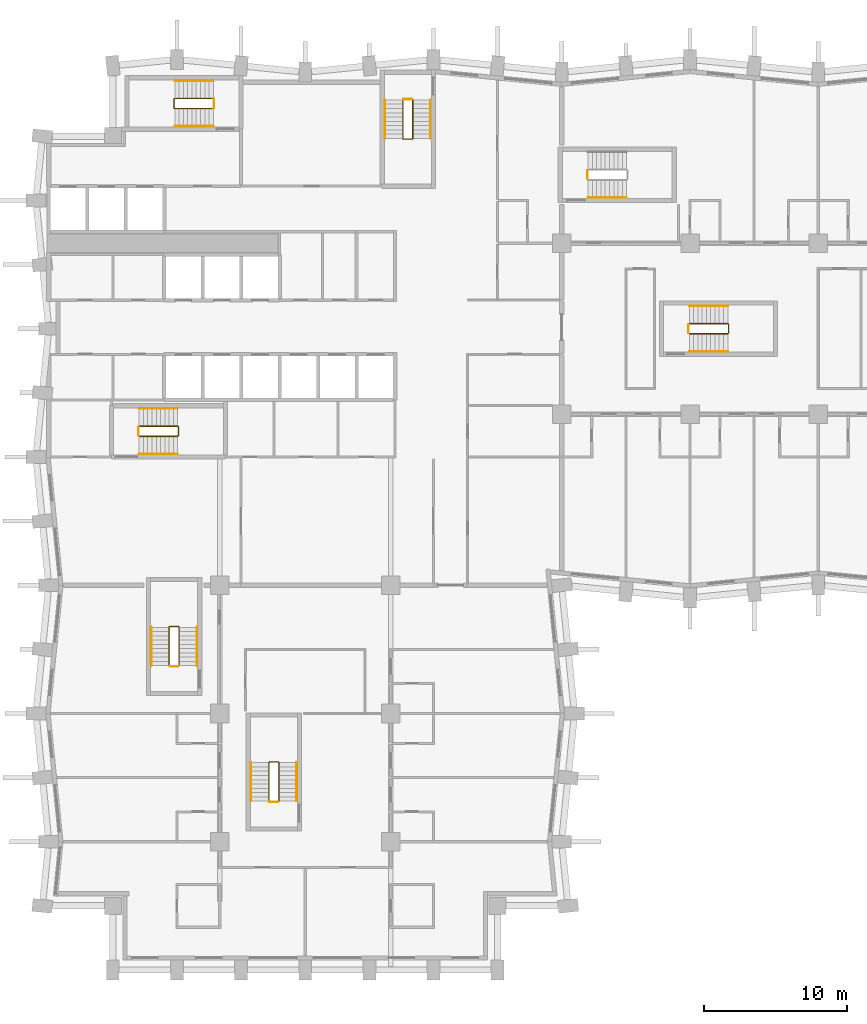
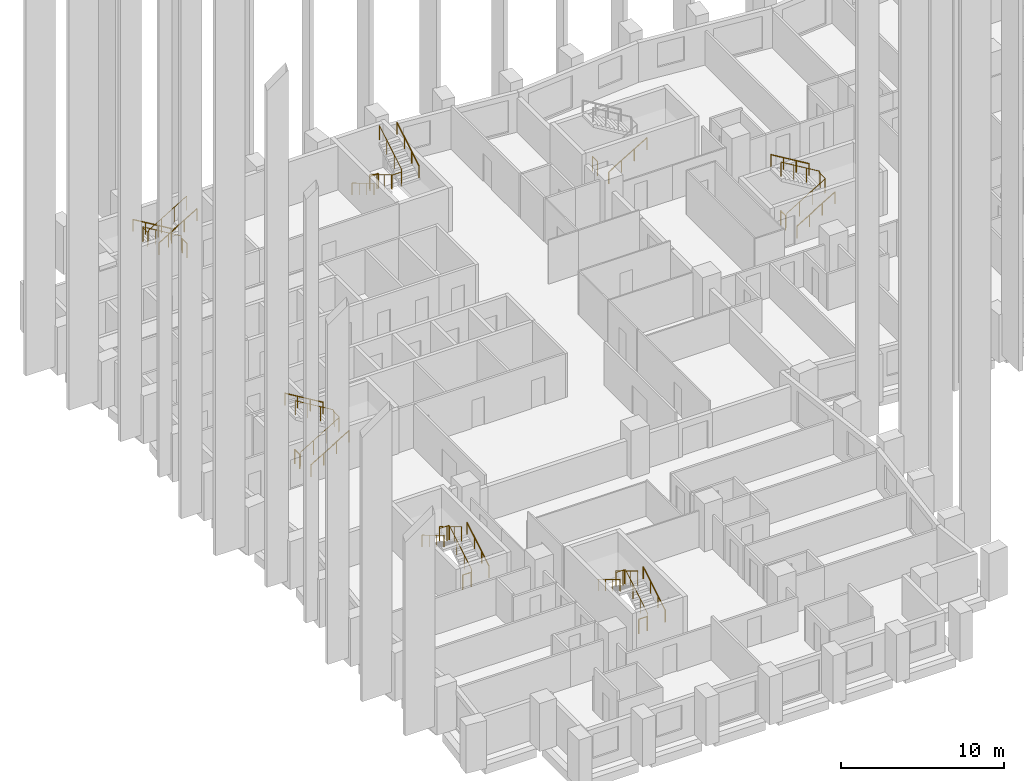
# One storey, part 12 of 13: 26 railings.
"""IFC4 building model written with IfcOpenShell, lengths in metres."""

from ifc_helpers import new_model, si_unit, direction, frame, origin, origin_2d, place, context, subcontext, project, spatial, circle, extrude, material, type_object, element, save


model = new_model("IFC4")

# Units and contexts
model_context = context("Model", 3, precision=1e-05, world=origin(), true_north=direction((0.0, 1.0)))
body_context = subcontext(model_context, "Body", "Model", "MODEL_VIEW")
ifc_project = project(units=[si_unit("LENGTHUNIT", "METRE"), si_unit("AREAUNIT", "SQUARE_METRE"), si_unit("VOLUMEUNIT", "CUBIC_METRE"), si_unit("PLANEANGLEUNIT", "RADIAN"), si_unit("MASSUNIT", "GRAM", prefix="KILO")], contexts=[model_context])

# Site, building, storey
site_placement = place(None, origin())
site = spatial("IfcSite", under=ifc_project, at=site_placement, CompositionType="ELEMENT")
building_placement = place(site_placement, origin())
building = spatial("IfcBuilding", under=site, at=building_placement, Name="Brondeck Convention Tower", CompositionType="ELEMENT")
storey_placement = place(building_placement, frame((0.0, 0.0, 37.5)))
storey = spatial("IfcBuildingStorey", under=building, at=storey_placement, Name="L06", CompositionType="ELEMENT", Elevation=37.5)

# Railings
ifc_material = material(Name="Steel S355", Category="steel")
railing_type_1 = type_object("IfcRailingType", Name="Stair guard 1100", PredefinedType="GUARDRAIL", material=ifc_material)
railing_1_placement = place(storey_placement, frame((6.35009765625, 37.449951171875, 0.179931640625)))
element("IfcRailing", 1, at=railing_1_placement, inside=storey, type_object=railing_type_1, Name="L06 ST-1 stair guard 1", PredefinedType="GUARDRAIL", context=body_context, shape_type="SweptSolid", body=[
    extrude(circle(Radius=0.02392578125, at=origin_2d()), frame((0.0, 0.0, 1.076171875), z_axis=(0.857472400752, 0.0, 0.514529962148), x_axis=(0.0, 1.0, 0.0)), (0.0, 0.0, 1.0), 3.148681640625),
    extrude(circle(Radius=0.02392578125, at=origin_2d()), frame((2.699951171875, 0.0, 2.6962890625), z_axis=(0.707106781187, 0.707106781187, 0.0), x_axis=(-0.707106781187, 0.707106781187, 0.0)), (0.0, 0.0, 1.0), 0.07080078125),
    extrude(circle(Radius=0.02392578125, at=origin_2d()), frame((2.75, 0.050048828125, 2.6962890625), z_axis=(0.0, 1.0, 0.0), x_axis=(-1.0, 0.0, 0.0)), (0.0, 0.0, 1.0), 0.60009765625),
    extrude(circle(Radius=0.02392578125, at=origin_2d()), frame((2.75, 0.650146484375, 2.6962890625), z_axis=(-0.258932105505, 0.257669022063, 0.930892496375), x_axis=(-0.705375805398, -0.708833529934, 0.0)), (0.0, 0.0, 1.0), 0.193359375),
    extrude(circle(Radius=0.02392578125, at=origin_2d()), frame((2.699951171875, 0.699951171875, 2.8759765625), z_axis=(-0.857472400752, 0.0, 0.514529962148), x_axis=(0.0, -1.0, 0.0)), (0.0, 0.0, 1.0), 3.148681640625),
    extrude(circle(Radius=0.02099609375, at=origin_2d()), origin(), (0.0, 0.0, 1.0), 1.052001953125),
    extrude(circle(Radius=0.02099609375, at=origin_2d()), frame((0.89990234375, 0.0, 0.5400390625)), (0.0, 0.0, 1.0), 1.052001953125),
    extrude(circle(Radius=0.02099609375, at=origin_2d()), frame((1.800048828125, 0.0, 1.080078125)), (0.0, 0.0, 1.0), 1.052001953125),
    extrude(circle(Radius=0.02099609375, at=origin_2d()), frame((2.699951171875, 0.0, 1.6201171875)), (0.0, 0.0, 1.0), 1.052001953125),
    extrude(circle(Radius=0.02099609375, at=origin_2d()), frame((2.75, 0.050048828125, 1.6201171875)), (0.0, 0.0, 1.0), 1.052001953125),
    extrude(circle(Radius=0.02099609375, at=origin_2d()), frame((2.75, 0.650146484375, 1.6201171875)), (0.0, 0.0, 1.0), 1.052001953125),
    extrude(circle(Radius=0.02099609375, at=origin_2d()), frame((2.699951171875, 0.699951171875, 1.800048828125)), (0.0, 0.0, 1.0), 1.052001953125),
    extrude(circle(Radius=0.02099609375, at=origin_2d()), frame((1.800048828125, 0.699951171875, 2.340087890625)), (0.0, 0.0, 1.0), 1.052001953125),
    extrude(circle(Radius=0.02099609375, at=origin_2d()), frame((0.89990234375, 0.699951171875, 2.880126953125)), (0.0, 0.0, 1.0), 1.052001953125),
    extrude(circle(Radius=0.02099609375, at=origin_2d()), frame((0.0, 0.699951171875, 3.420166015625)), (0.0, 0.0, 1.0), 1.052001953125),
])
railing_2_placement = place(storey_placement, frame((6.300048828125, 37.5, 0.0)))
element("IfcRailing", 2, at=railing_2_placement, inside=storey, type_object=railing_type_1, Name="L06 ST-1 stair guard 2", PredefinedType="GUARDRAIL", context=body_context, shape_type="SweptSolid", body=[
    extrude(circle(Radius=0.02392578125, at=origin_2d()), frame((0.0, 0.0, 1.076171875), z_axis=(0.0, 1.0, 0.0), x_axis=(-1.0, 0.0, 0.0)), (0.0, 0.0, 1.0), 0.60009765625),
    extrude(circle(Radius=0.02099609375, at=origin_2d()), origin(), (0.0, 0.0, 1.0), 1.052001953125),
    extrude(circle(Radius=0.02099609375, at=origin_2d()), frame((0.0, 0.60009765625, 0.0)), (0.0, 0.0, 1.0), 1.052001953125),
])
railing_3_placement = place(storey_placement, frame((24.85009765625, 61.050048828125, 0.179931640625)))
element("IfcRailing", 3, at=railing_3_placement, inside=storey, type_object=railing_type_1, Name="L06 ST-2 stair guard 1", PredefinedType="GUARDRAIL", context=body_context, shape_type="SweptSolid", body=[
    extrude(circle(Radius=0.02392578125, at=origin_2d()), frame((0.0, 0.0, 1.076171875), z_axis=(0.0, -0.857472400752, 0.514529962148), x_axis=(1.0, 0.0, 0.0)), (0.0, 0.0, 1.0), 3.148681640625),
    extrude(circle(Radius=0.02392578125, at=origin_2d()), frame((0.0, -2.699951171875, 2.6962890625), z_axis=(0.705375805398, -0.708833529934, 0.0), x_axis=(0.708833529934, 0.705375805398, 0.0)), (0.0, 0.0, 1.0), 0.070556640625),
    extrude(circle(Radius=0.02392578125, at=origin_2d()), frame((0.0498046875, -2.75, 2.6962890625), z_axis=(1.0, 0.0, 0.0), x_axis=(0.0, 1.0, 0.0)), (0.0, 0.0, 1.0), 0.60009765625),
    extrude(circle(Radius=0.02392578125, at=origin_2d()), frame((0.64990234375, -2.75, 2.6962890625), z_axis=(0.258847668887, 0.258847668887, 0.930588936439), x_axis=(-0.707106781187, 0.707106781187, 0.0)), (0.0, 0.0, 1.0), 0.193359375),
    extrude(circle(Radius=0.02392578125, at=origin_2d()), frame((0.699951171875, -2.699951171875, 2.8759765625), z_axis=(0.0, 0.857472400752, 0.514529962148), x_axis=(-1.0, 0.0, 0.0)), (0.0, 0.0, 1.0), 3.148681640625),
    extrude(circle(Radius=0.02099609375, at=origin_2d()), origin(), (0.0, 0.0, 1.0), 1.052001953125),
    extrude(circle(Radius=0.02099609375, at=origin_2d()), frame((0.0, -0.89990234375, 0.5400390625)), (0.0, 0.0, 1.0), 1.052001953125),
    extrude(circle(Radius=0.02099609375, at=origin_2d()), frame((0.0, -1.800048828125, 1.080078125)), (0.0, 0.0, 1.0), 1.052001953125),
    extrude(circle(Radius=0.02099609375, at=origin_2d()), frame((0.0, -2.699951171875, 1.6201171875)), (0.0, 0.0, 1.0), 1.052001953125),
    extrude(circle(Radius=0.02099609375, at=origin_2d()), frame((0.0498046875, -2.75, 1.6201171875)), (0.0, 0.0, 1.0), 1.052001953125),
    extrude(circle(Radius=0.02099609375, at=origin_2d()), frame((0.64990234375, -2.75, 1.6201171875)), (0.0, 0.0, 1.0), 1.052001953125),
    extrude(circle(Radius=0.02099609375, at=origin_2d()), frame((0.699951171875, -2.699951171875, 1.800048828125)), (0.0, 0.0, 1.0), 1.052001953125),
    extrude(circle(Radius=0.02099609375, at=origin_2d()), frame((0.699951171875, -1.800048828125, 2.340087890625)), (0.0, 0.0, 1.0), 1.052001953125),
    extrude(circle(Radius=0.02099609375, at=origin_2d()), frame((0.699951171875, -0.89990234375, 2.880126953125)), (0.0, 0.0, 1.0), 1.052001953125),
    extrude(circle(Radius=0.02099609375, at=origin_2d()), frame((0.699951171875, 0.0, 3.420166015625)), (0.0, 0.0, 1.0), 1.052001953125),
])
railing_4_placement = place(storey_placement, frame((24.89990234375, 61.10009765625, 0.0)))
element("IfcRailing", 4, at=railing_4_placement, inside=storey, type_object=railing_type_1, Name="L06 ST-2 stair guard 2", PredefinedType="GUARDRAIL", context=body_context, shape_type="SweptSolid", body=[
    extrude(circle(Radius=0.02392578125, at=origin_2d()), frame((0.0, 0.0, 1.076171875), z_axis=(1.0, 0.0, 0.0), x_axis=(0.0, 1.0, 0.0)), (0.0, 0.0, 1.0), 0.60009765625),
    extrude(circle(Radius=0.02099609375, at=origin_2d()), origin(), (0.0, 0.0, 1.0), 1.052001953125),
    extrude(circle(Radius=0.02099609375, at=origin_2d()), frame((0.60009765625, 0.0, 0.0)), (0.0, 0.0, 1.0), 1.052001953125),
])
railing_5_placement = place(storey_placement, frame((11.550048828125, 61.14990234375, 0.179931640625)))
element("IfcRailing", 5, at=railing_5_placement, inside=storey, type_object=railing_type_1, Name="L06 ST-3 stair guard 1", PredefinedType="GUARDRAIL", context=body_context, shape_type="SweptSolid", body=[
    extrude(circle(Radius=0.02392578125, at=origin_2d()), frame((0.0, 0.0, 1.076171875), z_axis=(-0.857472400752, 0.0, 0.514529962148), x_axis=(0.0, -1.0, 0.0)), (0.0, 0.0, 1.0), 3.148681640625),
    extrude(circle(Radius=0.02392578125, at=origin_2d()), frame((-2.699951171875, 0.0, 2.6962890625), z_axis=(-0.708833529934, -0.705375805398, 0.0), x_axis=(0.705375805398, -0.708833529934, 0.0)), (0.0, 0.0, 1.0), 0.070556640625),
    extrude(circle(Radius=0.02392578125, at=origin_2d()), frame((-2.75, -0.0498046875, 2.6962890625), z_axis=(0.0, -1.0, 0.0), x_axis=(1.0, 0.0, 0.0)), (0.0, 0.0, 1.0), 0.60009765625),
    extrude(circle(Radius=0.02392578125, at=origin_2d()), frame((-2.75, -0.64990234375, 2.6962890625), z_axis=(0.258847668887, -0.258847668887, 0.930588936439), x_axis=(0.707106781187, 0.707106781187, 0.0)), (0.0, 0.0, 1.0), 0.193359375),
    extrude(circle(Radius=0.02392578125, at=origin_2d()), frame((-2.699951171875, -0.699951171875, 2.8759765625), z_axis=(0.857472400752, 0.0, 0.514529962148), x_axis=(0.0, 1.0, 0.0)), (0.0, 0.0, 1.0), 3.148681640625),
    extrude(circle(Radius=0.02099609375, at=origin_2d()), origin(), (0.0, 0.0, 1.0), 1.052001953125),
    extrude(circle(Radius=0.02099609375, at=origin_2d()), frame((-0.89990234375, 0.0, 0.5400390625)), (0.0, 0.0, 1.0), 1.052001953125),
    extrude(circle(Radius=0.02099609375, at=origin_2d()), frame((-1.800048828125, 0.0, 1.080078125)), (0.0, 0.0, 1.0), 1.052001953125),
    extrude(circle(Radius=0.02099609375, at=origin_2d()), frame((-2.699951171875, 0.0, 1.6201171875)), (0.0, 0.0, 1.0), 1.052001953125),
    extrude(circle(Radius=0.02099609375, at=origin_2d()), frame((-2.75, -0.0498046875, 1.6201171875)), (0.0, 0.0, 1.0), 1.052001953125),
    extrude(circle(Radius=0.02099609375, at=origin_2d()), frame((-2.75, -0.64990234375, 1.6201171875)), (0.0, 0.0, 1.0), 1.052001953125),
    extrude(circle(Radius=0.02099609375, at=origin_2d()), frame((-2.699951171875, -0.699951171875, 1.800048828125)), (0.0, 0.0, 1.0), 1.052001953125),
    extrude(circle(Radius=0.02099609375, at=origin_2d()), frame((-1.800048828125, -0.699951171875, 2.340087890625)), (0.0, 0.0, 1.0), 1.052001953125),
    extrude(circle(Radius=0.02099609375, at=origin_2d()), frame((-0.89990234375, -0.699951171875, 2.880126953125)), (0.0, 0.0, 1.0), 1.052001953125),
    extrude(circle(Radius=0.02099609375, at=origin_2d()), frame((0.0, -0.699951171875, 3.420166015625)), (0.0, 0.0, 1.0), 1.052001953125),
])
railing_6_placement = place(storey_placement, frame((11.60009765625, 61.10009765625, 0.0)))
element("IfcRailing", 6, at=railing_6_placement, inside=storey, type_object=railing_type_1, Name="L06 ST-3 stair guard 2", PredefinedType="GUARDRAIL", context=body_context, shape_type="SweptSolid", body=[
    extrude(circle(Radius=0.02392578125, at=origin_2d()), frame((0.0, 0.0, 1.076171875), z_axis=(0.0, -1.0, 0.0), x_axis=(1.0, 0.0, 0.0)), (0.0, 0.0, 1.0), 0.60009765625),
    extrude(circle(Radius=0.02099609375, at=origin_2d()), origin(), (0.0, 0.0, 1.0), 1.052001953125),
    extrude(circle(Radius=0.02099609375, at=origin_2d()), frame((0.0, -0.60009765625, 0.0)), (0.0, 0.0, 1.0), 1.052001953125),
])
railing_7_placement = place(storey_placement, frame((37.800048828125, 55.5, 0.0)))
element("IfcRailing", 7, at=railing_7_placement, inside=storey, type_object=railing_type_1, Name="L06 ST-AE stair guard 2", PredefinedType="GUARDRAIL", context=body_context, shape_type="SweptSolid", body=[
    extrude(circle(Radius=0.02392578125, at=origin_2d()), frame((0.0, 0.0, 1.076171875), z_axis=(0.0, 1.0, 0.0), x_axis=(-1.0, 0.0, 0.0)), (0.0, 0.0, 1.0), 0.60009765625),
    extrude(circle(Radius=0.02099609375, at=origin_2d()), origin(), (0.0, 0.0, 1.0), 1.052001953125),
    extrude(circle(Radius=0.02099609375, at=origin_2d()), frame((0.0, 0.60009765625, 0.0)), (0.0, 0.0, 1.0), 1.052001953125),
])
railing_8_placement = place(storey_placement, frame((9.14990234375, 21.35009765625, 0.179931640625)))
element("IfcRailing", 8, at=railing_8_placement, inside=storey, type_object=railing_type_1, Name="L06 ST-BE stair guard 1", PredefinedType="GUARDRAIL", context=body_context, shape_type="SweptSolid", body=[
    extrude(circle(Radius=0.02392578125, at=origin_2d()), frame((0.0, 0.0, 1.076171875), z_axis=(0.0, 0.857472400752, 0.514529962148), x_axis=(-1.0, 0.0, 0.0)), (0.0, 0.0, 1.0), 3.148681640625),
    extrude(circle(Radius=0.02392578125, at=origin_2d()), frame((0.0, 2.699951171875, 2.6962890625), z_axis=(-0.705375805398, 0.708833529934, 0.0), x_axis=(-0.708833529934, -0.705375805398, 0.0)), (0.0, 0.0, 1.0), 0.070556640625),
    extrude(circle(Radius=0.02392578125, at=origin_2d()), frame((-0.0498046875, 2.75, 2.6962890625), z_axis=(-1.0, 0.0, 0.0), x_axis=(0.0, -1.0, 0.0)), (0.0, 0.0, 1.0), 0.60009765625),
    extrude(circle(Radius=0.02392578125, at=origin_2d()), frame((-0.64990234375, 2.75, 2.6962890625), z_axis=(-0.258847668887, -0.258847668887, 0.930588936439), x_axis=(0.707106781187, -0.707106781187, 0.0)), (0.0, 0.0, 1.0), 0.193359375),
    extrude(circle(Radius=0.02392578125, at=origin_2d()), frame((-0.699951171875, 2.699951171875, 2.8759765625), z_axis=(0.0, -0.857472400752, 0.514529962148), x_axis=(1.0, 0.0, 0.0)), (0.0, 0.0, 1.0), 3.148681640625),
    extrude(circle(Radius=0.02099609375, at=origin_2d()), origin(), (0.0, 0.0, 1.0), 1.052001953125),
    extrude(circle(Radius=0.02099609375, at=origin_2d()), frame((0.0, 0.89990234375, 0.5400390625)), (0.0, 0.0, 1.0), 1.052001953125),
    extrude(circle(Radius=0.02099609375, at=origin_2d()), frame((0.0, 1.800048828125, 1.080078125)), (0.0, 0.0, 1.0), 1.052001953125),
    extrude(circle(Radius=0.02099609375, at=origin_2d()), frame((0.0, 2.699951171875, 1.6201171875)), (0.0, 0.0, 1.0), 1.052001953125),
    extrude(circle(Radius=0.02099609375, at=origin_2d()), frame((-0.0498046875, 2.75, 1.6201171875)), (0.0, 0.0, 1.0), 1.052001953125),
    extrude(circle(Radius=0.02099609375, at=origin_2d()), frame((-0.64990234375, 2.75, 1.6201171875)), (0.0, 0.0, 1.0), 1.052001953125),
    extrude(circle(Radius=0.02099609375, at=origin_2d()), frame((-0.699951171875, 2.699951171875, 1.800048828125)), (0.0, 0.0, 1.0), 1.052001953125),
    extrude(circle(Radius=0.02099609375, at=origin_2d()), frame((-0.699951171875, 1.800048828125, 2.340087890625)), (0.0, 0.0, 1.0), 1.052001953125),
    extrude(circle(Radius=0.02099609375, at=origin_2d()), frame((-0.699951171875, 0.89990234375, 2.880126953125)), (0.0, 0.0, 1.0), 1.052001953125),
    extrude(circle(Radius=0.02099609375, at=origin_2d()), frame((-0.699951171875, 0.0, 3.420166015625)), (0.0, 0.0, 1.0), 1.052001953125),
])
railing_9_placement = place(storey_placement, frame((9.10009765625, 21.300048828125, 0.0)))
element("IfcRailing", 9, at=railing_9_placement, inside=storey, type_object=railing_type_1, Name="L06 ST-BE stair guard 2", PredefinedType="GUARDRAIL", context=body_context, shape_type="SweptSolid", body=[
    extrude(circle(Radius=0.02392578125, at=origin_2d()), frame((0.0, 0.0, 1.076171875), z_axis=(-1.0, 0.0, 0.0), x_axis=(0.0, -1.0, 0.0)), (0.0, 0.0, 1.0), 0.60009765625),
    extrude(circle(Radius=0.02099609375, at=origin_2d()), origin(), (0.0, 0.0, 1.0), 1.052001953125),
    extrude(circle(Radius=0.02099609375, at=origin_2d()), frame((-0.60009765625, 0.0, 0.0)), (0.0, 0.0, 1.0), 1.052001953125),
])
railing_10_placement = place(storey_placement, frame((44.949951171875, 44.64990234375, 0.179931640625)))
element("IfcRailing", 10, at=railing_10_placement, inside=storey, type_object=railing_type_1, Name="L06 ST-AF stair guard 1", PredefinedType="GUARDRAIL", context=body_context, shape_type="SweptSolid", body=[
    extrude(circle(Radius=0.02392578125, at=origin_2d()), frame((0.0, 0.0, 1.076171875), z_axis=(0.857472400752, 0.0, 0.514529962148), x_axis=(0.0, 1.0, 0.0)), (0.0, 0.0, 1.0), 3.148681640625),
    extrude(circle(Radius=0.02392578125, at=origin_2d()), frame((2.699951171875, 0.0, 2.6962890625), z_axis=(0.707106781187, 0.707106781187, 0.0), x_axis=(-0.707106781187, 0.707106781187, 0.0)), (0.0, 0.0, 1.0), 0.07080078125),
    extrude(circle(Radius=0.02392578125, at=origin_2d()), frame((2.75, 0.050048828125, 2.6962890625), z_axis=(0.0, 1.0, 0.0), x_axis=(-1.0, 0.0, 0.0)), (0.0, 0.0, 1.0), 0.60009765625),
    extrude(circle(Radius=0.02392578125, at=origin_2d()), frame((2.75, 0.650146484375, 2.6962890625), z_axis=(-0.258847668887, 0.258847668887, 0.930588936439), x_axis=(-0.707106781187, -0.707106781187, 0.0)), (0.0, 0.0, 1.0), 0.193359375),
    extrude(circle(Radius=0.02392578125, at=origin_2d()), frame((2.699951171875, 0.7001953125, 2.8759765625), z_axis=(-0.857472400752, 0.0, 0.514529962148), x_axis=(0.0, -1.0, 0.0)), (0.0, 0.0, 1.0), 3.148681640625),
    extrude(circle(Radius=0.02099609375, at=origin_2d()), origin(), (0.0, 0.0, 1.0), 1.052001953125),
    extrude(circle(Radius=0.02099609375, at=origin_2d()), frame((0.89990234375, 0.0, 0.5400390625)), (0.0, 0.0, 1.0), 1.052001953125),
    extrude(circle(Radius=0.02099609375, at=origin_2d()), frame((1.800048828125, 0.0, 1.080078125)), (0.0, 0.0, 1.0), 1.052001953125),
    extrude(circle(Radius=0.02099609375, at=origin_2d()), frame((2.699951171875, 0.0, 1.6201171875)), (0.0, 0.0, 1.0), 1.052001953125),
    extrude(circle(Radius=0.02099609375, at=origin_2d()), frame((2.75, 0.050048828125, 1.6201171875)), (0.0, 0.0, 1.0), 1.052001953125),
    extrude(circle(Radius=0.02099609375, at=origin_2d()), frame((2.75, 0.650146484375, 1.6201171875)), (0.0, 0.0, 1.0), 1.052001953125),
    extrude(circle(Radius=0.02099609375, at=origin_2d()), frame((2.699951171875, 0.7001953125, 1.800048828125)), (0.0, 0.0, 1.0), 1.052001953125),
    extrude(circle(Radius=0.02099609375, at=origin_2d()), frame((1.800048828125, 0.7001953125, 2.340087890625)), (0.0, 0.0, 1.0), 1.052001953125),
    extrude(circle(Radius=0.02099609375, at=origin_2d()), frame((0.89990234375, 0.7001953125, 2.880126953125)), (0.0, 0.0, 1.0), 1.052001953125),
    extrude(circle(Radius=0.02099609375, at=origin_2d()), frame((0.0, 0.7001953125, 3.420166015625)), (0.0, 0.0, 1.0), 1.052001953125),
])
railing_11_placement = place(storey_placement, frame((44.89990234375, 44.699951171875, 0.0)))
element("IfcRailing", 11, at=railing_11_placement, inside=storey, type_object=railing_type_1, Name="L06 ST-AF stair guard 2", PredefinedType="GUARDRAIL", context=body_context, shape_type="SweptSolid", body=[
    extrude(circle(Radius=0.02392578125, at=origin_2d()), frame((0.0, 0.0, 1.076171875), z_axis=(0.0, 1.0, 0.0), x_axis=(-1.0, 0.0, 0.0)), (0.0, 0.0, 1.0), 0.60009765625),
    extrude(circle(Radius=0.02099609375, at=origin_2d()), origin(), (0.0, 0.0, 1.0), 1.052001953125),
    extrude(circle(Radius=0.02099609375, at=origin_2d()), frame((0.0, 0.60009765625, 0.0)), (0.0, 0.0, 1.0), 1.052001953125),
])
railing_12_placement = place(storey_placement, frame((16.14990234375, 11.85009765625, 0.179931640625)))
element("IfcRailing", 12, at=railing_12_placement, inside=storey, type_object=railing_type_1, Name="L06 ST-BF stair guard 1", PredefinedType="GUARDRAIL", context=body_context, shape_type="SweptSolid", body=[
    extrude(circle(Radius=0.02392578125, at=origin_2d()), frame((0.0, 0.0, 1.076171875), z_axis=(0.0, 0.857472400752, 0.514529962148), x_axis=(-1.0, 0.0, 0.0)), (0.0, 0.0, 1.0), 3.148681640625),
    extrude(circle(Radius=0.02392578125, at=origin_2d()), frame((0.0, 2.699951171875, 2.6962890625), z_axis=(-0.705375805398, 0.708833529934, 0.0), x_axis=(-0.708833529934, -0.705375805398, 0.0)), (0.0, 0.0, 1.0), 0.070556640625),
    extrude(circle(Radius=0.02392578125, at=origin_2d()), frame((-0.0498046875, 2.75, 2.6962890625), z_axis=(-1.0, 0.0, 0.0), x_axis=(0.0, -1.0, 0.0)), (0.0, 0.0, 1.0), 0.60009765625),
    extrude(circle(Radius=0.02392578125, at=origin_2d()), frame((-0.64990234375, 2.75, 2.6962890625), z_axis=(-0.258847668887, -0.258847668887, 0.930588936439), x_axis=(0.707106781187, -0.707106781187, 0.0)), (0.0, 0.0, 1.0), 0.193359375),
    extrude(circle(Radius=0.02392578125, at=origin_2d()), frame((-0.699951171875, 2.699951171875, 2.8759765625), z_axis=(0.0, -0.857472400752, 0.514529962148), x_axis=(1.0, 0.0, 0.0)), (0.0, 0.0, 1.0), 3.148681640625),
    extrude(circle(Radius=0.02099609375, at=origin_2d()), origin(), (0.0, 0.0, 1.0), 1.052001953125),
    extrude(circle(Radius=0.02099609375, at=origin_2d()), frame((0.0, 0.89990234375, 0.5400390625)), (0.0, 0.0, 1.0), 1.052001953125),
    extrude(circle(Radius=0.02099609375, at=origin_2d()), frame((0.0, 1.800048828125, 1.080078125)), (0.0, 0.0, 1.0), 1.052001953125),
    extrude(circle(Radius=0.02099609375, at=origin_2d()), frame((0.0, 2.699951171875, 1.6201171875)), (0.0, 0.0, 1.0), 1.052001953125),
    extrude(circle(Radius=0.02099609375, at=origin_2d()), frame((-0.0498046875, 2.75, 1.6201171875)), (0.0, 0.0, 1.0), 1.052001953125),
    extrude(circle(Radius=0.02099609375, at=origin_2d()), frame((-0.64990234375, 2.75, 1.6201171875)), (0.0, 0.0, 1.0), 1.052001953125),
    extrude(circle(Radius=0.02099609375, at=origin_2d()), frame((-0.699951171875, 2.699951171875, 1.800048828125)), (0.0, 0.0, 1.0), 1.052001953125),
    extrude(circle(Radius=0.02099609375, at=origin_2d()), frame((-0.699951171875, 1.800048828125, 2.340087890625)), (0.0, 0.0, 1.0), 1.052001953125),
    extrude(circle(Radius=0.02099609375, at=origin_2d()), frame((-0.699951171875, 0.89990234375, 2.880126953125)), (0.0, 0.0, 1.0), 1.052001953125),
    extrude(circle(Radius=0.02099609375, at=origin_2d()), frame((-0.699951171875, 0.0, 3.420166015625)), (0.0, 0.0, 1.0), 1.052001953125),
])
railing_13_placement = place(storey_placement, frame((16.10009765625, 11.800048828125, 0.0)))
element("IfcRailing", 13, at=railing_13_placement, inside=storey, type_object=railing_type_1, Name="L06 ST-BF stair guard 2", PredefinedType="GUARDRAIL", context=body_context, shape_type="SweptSolid", body=[
    extrude(circle(Radius=0.02392578125, at=origin_2d()), frame((0.0, 0.0, 1.076171875), z_axis=(-1.0, 0.0, 0.0), x_axis=(0.0, -1.0, 0.0)), (0.0, 0.0, 1.0), 0.60009765625),
    extrude(circle(Radius=0.02099609375, at=origin_2d()), origin(), (0.0, 0.0, 1.0), 1.052001953125),
    extrude(circle(Radius=0.02099609375, at=origin_2d()), frame((-0.60009765625, 0.0, 0.0)), (0.0, 0.0, 1.0), 1.052001953125),
])
railing_type_2 = type_object("IfcRailingType", Name="Stair handrail", PredefinedType="HANDRAIL", material=ifc_material)
railing_14_placement = place(storey_placement, frame((6.35009765625, 36.199951171875, 0.179931640625)))
element("IfcRailing", 14, at=railing_14_placement, inside=storey, type_object=railing_type_2, Name="L06 ST-1 stair handrail 1", PredefinedType="HANDRAIL", context=body_context, shape_type="SweptSolid", body=[
    extrude(circle(Radius=0.02392578125, at=origin_2d()), frame((0.0, 0.0, 0.8759765625), z_axis=(0.857472400752, 0.0, 0.514529962148), x_axis=(0.0, 1.0, 0.0)), (0.0, 0.0, 1.0), 3.148681640625),
    extrude(circle(Radius=0.02099609375, at=origin_2d()), origin(), (0.0, 0.0, 1.0), 0.851806640625),
    extrude(circle(Radius=0.02099609375, at=origin_2d()), frame((0.89990234375, 0.0, 0.5400390625)), (0.0, 0.0, 1.0), 0.851806640625),
    extrude(circle(Radius=0.02099609375, at=origin_2d()), frame((1.800048828125, 0.0, 1.080078125)), (0.0, 0.0, 1.0), 0.851806640625),
    extrude(circle(Radius=0.02099609375, at=origin_2d()), frame((2.699951171875, 0.0, 1.6201171875)), (0.0, 0.0, 1.0), 0.851806640625),
])
railing_15_placement = place(storey_placement, frame((9.050048828125, 39.39990234375, 1.97998046875)))
element("IfcRailing", 15, at=railing_15_placement, inside=storey, type_object=railing_type_2, Name="L06 ST-1 stair handrail 2", PredefinedType="HANDRAIL", context=body_context, shape_type="SweptSolid", body=[
    extrude(circle(Radius=0.02392578125, at=origin_2d()), frame((0.0, 0.0, 0.8759765625), z_axis=(-0.857472400752, 0.0, 0.514529962148), x_axis=(0.0, -1.0, 0.0)), (0.0, 0.0, 1.0), 3.148681640625),
    extrude(circle(Radius=0.02099609375, at=origin_2d()), origin(), (0.0, 0.0, 1.0), 0.851806640625),
    extrude(circle(Radius=0.02099609375, at=origin_2d()), frame((-0.89990234375, 0.0, 0.5400390625)), (0.0, 0.0, 1.0), 0.851806640625),
    extrude(circle(Radius=0.02099609375, at=origin_2d()), frame((-1.800048828125, 0.0, 1.080078125)), (0.0, 0.0, 1.0), 0.851806640625),
    extrude(circle(Radius=0.02099609375, at=origin_2d()), frame((-2.699951171875, 0.0, 1.6201171875)), (0.0, 0.0, 1.0), 0.851806640625),
])
railing_16_placement = place(storey_placement, frame((23.60009765625, 61.050048828125, 0.179931640625)))
element("IfcRailing", 16, at=railing_16_placement, inside=storey, type_object=railing_type_2, Name="L06 ST-2 stair handrail 1", PredefinedType="HANDRAIL", context=body_context, shape_type="SweptSolid", body=[
    extrude(circle(Radius=0.02392578125, at=origin_2d()), frame((0.0, 0.0, 0.8759765625), z_axis=(0.0, -0.857472400752, 0.514529962148), x_axis=(1.0, 0.0, 0.0)), (0.0, 0.0, 1.0), 3.148681640625),
    extrude(circle(Radius=0.02099609375, at=origin_2d()), origin(), (0.0, 0.0, 1.0), 0.851806640625),
    extrude(circle(Radius=0.02099609375, at=origin_2d()), frame((0.0, -0.89990234375, 0.5400390625)), (0.0, 0.0, 1.0), 0.851806640625),
    extrude(circle(Radius=0.02099609375, at=origin_2d()), frame((0.0, -1.800048828125, 1.080078125)), (0.0, 0.0, 1.0), 0.851806640625),
    extrude(circle(Radius=0.02099609375, at=origin_2d()), frame((0.0, -2.699951171875, 1.6201171875)), (0.0, 0.0, 1.0), 0.851806640625),
])
railing_17_placement = place(storey_placement, frame((26.800048828125, 58.35009765625, 1.97998046875)))
element("IfcRailing", 17, at=railing_17_placement, inside=storey, type_object=railing_type_2, Name="L06 ST-2 stair handrail 2", PredefinedType="HANDRAIL", context=body_context, shape_type="SweptSolid", body=[
    extrude(circle(Radius=0.02392578125, at=origin_2d()), frame((0.0, 0.0, 0.8759765625), z_axis=(0.0, 0.857472400752, 0.514529962148), x_axis=(-1.0, 0.0, 0.0)), (0.0, 0.0, 1.0), 3.148681640625),
    extrude(circle(Radius=0.02099609375, at=origin_2d()), origin(), (0.0, 0.0, 1.0), 0.851806640625),
    extrude(circle(Radius=0.02099609375, at=origin_2d()), frame((0.0, 0.89990234375, 0.5400390625)), (0.0, 0.0, 1.0), 0.851806640625),
    extrude(circle(Radius=0.02099609375, at=origin_2d()), frame((0.0, 1.800048828125, 1.080078125)), (0.0, 0.0, 1.0), 0.851806640625),
    extrude(circle(Radius=0.02099609375, at=origin_2d()), frame((0.0, 2.699951171875, 1.6201171875)), (0.0, 0.0, 1.0), 0.851806640625),
])
railing_18_placement = place(storey_placement, frame((11.550048828125, 62.39990234375, 0.179931640625)))
element("IfcRailing", 18, at=railing_18_placement, inside=storey, type_object=railing_type_2, Name="L06 ST-3 stair handrail 1", PredefinedType="HANDRAIL", context=body_context, shape_type="SweptSolid", body=[
    extrude(circle(Radius=0.02392578125, at=origin_2d()), frame((0.0, 0.0, 0.8759765625), z_axis=(-0.857472400752, 0.0, 0.514529962148), x_axis=(0.0, -1.0, 0.0)), (0.0, 0.0, 1.0), 3.148681640625),
    extrude(circle(Radius=0.02099609375, at=origin_2d()), origin(), (0.0, 0.0, 1.0), 0.851806640625),
    extrude(circle(Radius=0.02099609375, at=origin_2d()), frame((-0.89990234375, 0.0, 0.5400390625)), (0.0, 0.0, 1.0), 0.851806640625),
    extrude(circle(Radius=0.02099609375, at=origin_2d()), frame((-1.800048828125, 0.0, 1.080078125)), (0.0, 0.0, 1.0), 0.851806640625),
    extrude(circle(Radius=0.02099609375, at=origin_2d()), frame((-2.699951171875, 0.0, 1.6201171875)), (0.0, 0.0, 1.0), 0.851806640625),
])
for number, where, name in (
    (19, (8.85009765625, 59.199951171875, 1.97998046875), "L06 ST-3 stair handrail 2"),
    (20, (37.85009765625, 54.199951171875, 0.179931640625), "L06 ST-AE stair handrail 1"),
):
    element("IfcRailing", number, at=place(storey_placement, frame(where)), inside=storey, type_object=railing_type_2, Name=name, PredefinedType="HANDRAIL", context=body_context, shape_type="SweptSolid", body=[
        extrude(circle(Radius=0.02392578125, at=origin_2d()), frame((0.0, 0.0, 0.8759765625), z_axis=(0.857472400752, 0.0, 0.514529962148), x_axis=(0.0, 1.0, 0.0)), (0.0, 0.0, 1.0), 3.148681640625),
        extrude(circle(Radius=0.02099609375, at=origin_2d()), origin(), (0.0, 0.0, 1.0), 0.851806640625),
        extrude(circle(Radius=0.02099609375, at=origin_2d()), frame((0.89990234375, 0.0, 0.5400390625)), (0.0, 0.0, 1.0), 0.851806640625),
        extrude(circle(Radius=0.02099609375, at=origin_2d()), frame((1.800048828125, 0.0, 1.080078125)), (0.0, 0.0, 1.0), 0.851806640625),
        extrude(circle(Radius=0.02099609375, at=origin_2d()), frame((2.699951171875, 0.0, 1.6201171875)), (0.0, 0.0, 1.0), 0.851806640625),
    ])
railing_19_placement = place(storey_placement, frame((10.39990234375, 21.35009765625, 0.179931640625)))
element("IfcRailing", 21, at=railing_19_placement, inside=storey, type_object=railing_type_2, Name="L06 ST-BE stair handrail 1", PredefinedType="HANDRAIL", context=body_context, shape_type="SweptSolid", body=[
    extrude(circle(Radius=0.02392578125, at=origin_2d()), frame((0.0, 0.0, 0.8759765625), z_axis=(0.0, 0.857472400752, 0.514529962148), x_axis=(-1.0, 0.0, 0.0)), (0.0, 0.0, 1.0), 3.148681640625),
    extrude(circle(Radius=0.02099609375, at=origin_2d()), origin(), (0.0, 0.0, 1.0), 0.851806640625),
    extrude(circle(Radius=0.02099609375, at=origin_2d()), frame((0.0, 0.89990234375, 0.5400390625)), (0.0, 0.0, 1.0), 0.851806640625),
    extrude(circle(Radius=0.02099609375, at=origin_2d()), frame((0.0, 1.800048828125, 1.080078125)), (0.0, 0.0, 1.0), 0.851806640625),
    extrude(circle(Radius=0.02099609375, at=origin_2d()), frame((0.0, 2.699951171875, 1.6201171875)), (0.0, 0.0, 1.0), 0.851806640625),
])
railing_20_placement = place(storey_placement, frame((7.199951171875, 24.050048828125, 1.97998046875)))
element("IfcRailing", 22, at=railing_20_placement, inside=storey, type_object=railing_type_2, Name="L06 ST-BE stair handrail 2", PredefinedType="HANDRAIL", context=body_context, shape_type="SweptSolid", body=[
    extrude(circle(Radius=0.02392578125, at=origin_2d()), frame((0.0, 0.0, 0.8759765625), z_axis=(0.0, -0.857472400752, 0.514529962148), x_axis=(1.0, 0.0, 0.0)), (0.0, 0.0, 1.0), 3.148681640625),
    extrude(circle(Radius=0.02099609375, at=origin_2d()), origin(), (0.0, 0.0, 1.0), 0.851806640625),
    extrude(circle(Radius=0.02099609375, at=origin_2d()), frame((0.0, -0.89990234375, 0.5400390625)), (0.0, 0.0, 1.0), 0.851806640625),
    extrude(circle(Radius=0.02099609375, at=origin_2d()), frame((0.0, -1.800048828125, 1.080078125)), (0.0, 0.0, 1.0), 0.851806640625),
    extrude(circle(Radius=0.02099609375, at=origin_2d()), frame((0.0, -2.699951171875, 1.6201171875)), (0.0, 0.0, 1.0), 0.851806640625),
])
railing_21_placement = place(storey_placement, frame((44.949951171875, 43.39990234375, 0.179931640625)))
element("IfcRailing", 23, at=railing_21_placement, inside=storey, type_object=railing_type_2, Name="L06 ST-AF stair handrail 1", PredefinedType="HANDRAIL", context=body_context, shape_type="SweptSolid", body=[
    extrude(circle(Radius=0.02392578125, at=origin_2d()), frame((0.0, 0.0, 0.8759765625), z_axis=(0.857472400752, 0.0, 0.514529962148), x_axis=(0.0, 1.0, 0.0)), (0.0, 0.0, 1.0), 3.148681640625),
    extrude(circle(Radius=0.02099609375, at=origin_2d()), origin(), (0.0, 0.0, 1.0), 0.851806640625),
    extrude(circle(Radius=0.02099609375, at=origin_2d()), frame((0.89990234375, 0.0, 0.5400390625)), (0.0, 0.0, 1.0), 0.851806640625),
    extrude(circle(Radius=0.02099609375, at=origin_2d()), frame((1.800048828125, 0.0, 1.080078125)), (0.0, 0.0, 1.0), 0.851806640625),
    extrude(circle(Radius=0.02099609375, at=origin_2d()), frame((2.699951171875, 0.0, 1.6201171875)), (0.0, 0.0, 1.0), 0.851806640625),
])
railing_22_placement = place(storey_placement, frame((47.64990234375, 46.60009765625, 1.97998046875)))
element("IfcRailing", 24, at=railing_22_placement, inside=storey, type_object=railing_type_2, Name="L06 ST-AF stair handrail 2", PredefinedType="HANDRAIL", context=body_context, shape_type="SweptSolid", body=[
    extrude(circle(Radius=0.02392578125, at=origin_2d()), frame((0.0, 0.0, 0.8759765625), z_axis=(-0.857472400752, 0.0, 0.514529962148), x_axis=(0.0, -1.0, 0.0)), (0.0, 0.0, 1.0), 3.148681640625),
    extrude(circle(Radius=0.02099609375, at=origin_2d()), origin(), (0.0, 0.0, 1.0), 0.851806640625),
    extrude(circle(Radius=0.02099609375, at=origin_2d()), frame((-0.89990234375, 0.0, 0.5400390625)), (0.0, 0.0, 1.0), 0.851806640625),
    extrude(circle(Radius=0.02099609375, at=origin_2d()), frame((-1.800048828125, 0.0, 1.080078125)), (0.0, 0.0, 1.0), 0.851806640625),
    extrude(circle(Radius=0.02099609375, at=origin_2d()), frame((-2.699951171875, 0.0, 1.6201171875)), (0.0, 0.0, 1.0), 0.851806640625),
])
railing_23_placement = place(storey_placement, frame((17.39990234375, 11.85009765625, 0.179931640625)))
element("IfcRailing", 25, at=railing_23_placement, inside=storey, type_object=railing_type_2, Name="L06 ST-BF stair handrail 1", PredefinedType="HANDRAIL", context=body_context, shape_type="SweptSolid", body=[
    extrude(circle(Radius=0.02392578125, at=origin_2d()), frame((0.0, 0.0, 0.8759765625), z_axis=(0.0, 0.857472400752, 0.514529962148), x_axis=(-1.0, 0.0, 0.0)), (0.0, 0.0, 1.0), 3.148681640625),
    extrude(circle(Radius=0.02099609375, at=origin_2d()), origin(), (0.0, 0.0, 1.0), 0.851806640625),
    extrude(circle(Radius=0.02099609375, at=origin_2d()), frame((0.0, 0.89990234375, 0.5400390625)), (0.0, 0.0, 1.0), 0.851806640625),
    extrude(circle(Radius=0.02099609375, at=origin_2d()), frame((0.0, 1.800048828125, 1.080078125)), (0.0, 0.0, 1.0), 0.851806640625),
    extrude(circle(Radius=0.02099609375, at=origin_2d()), frame((0.0, 2.699951171875, 1.6201171875)), (0.0, 0.0, 1.0), 0.851806640625),
])
railing_24_placement = place(storey_placement, frame((14.199951171875, 14.550048828125, 1.97998046875)))
element("IfcRailing", 26, at=railing_24_placement, inside=storey, type_object=railing_type_2, Name="L06 ST-BF stair handrail 2", PredefinedType="HANDRAIL", context=body_context, shape_type="SweptSolid", body=[
    extrude(circle(Radius=0.02392578125, at=origin_2d()), frame((0.0, 0.0, 0.8759765625), z_axis=(0.0, -0.857472400752, 0.514529962148), x_axis=(1.0, 0.0, 0.0)), (0.0, 0.0, 1.0), 3.148681640625),
    extrude(circle(Radius=0.02099609375, at=origin_2d()), origin(), (0.0, 0.0, 1.0), 0.851806640625),
    extrude(circle(Radius=0.02099609375, at=origin_2d()), frame((0.0, -0.89990234375, 0.5400390625)), (0.0, 0.0, 1.0), 0.851806640625),
    extrude(circle(Radius=0.02099609375, at=origin_2d()), frame((0.0, -1.800048828125, 1.080078125)), (0.0, 0.0, 1.0), 0.851806640625),
    extrude(circle(Radius=0.02099609375, at=origin_2d()), frame((0.0, -2.699951171875, 1.6201171875)), (0.0, 0.0, 1.0), 0.851806640625),
])

save(model, "model.ifc")
